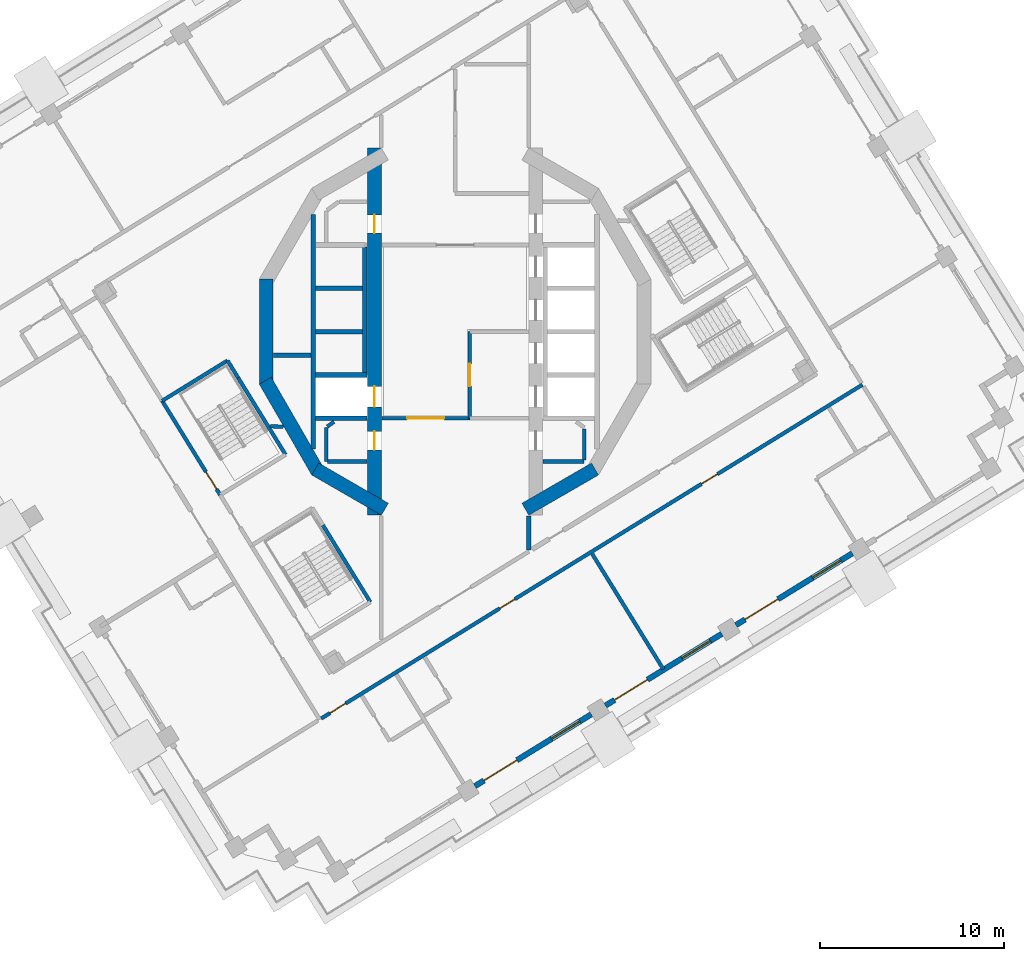
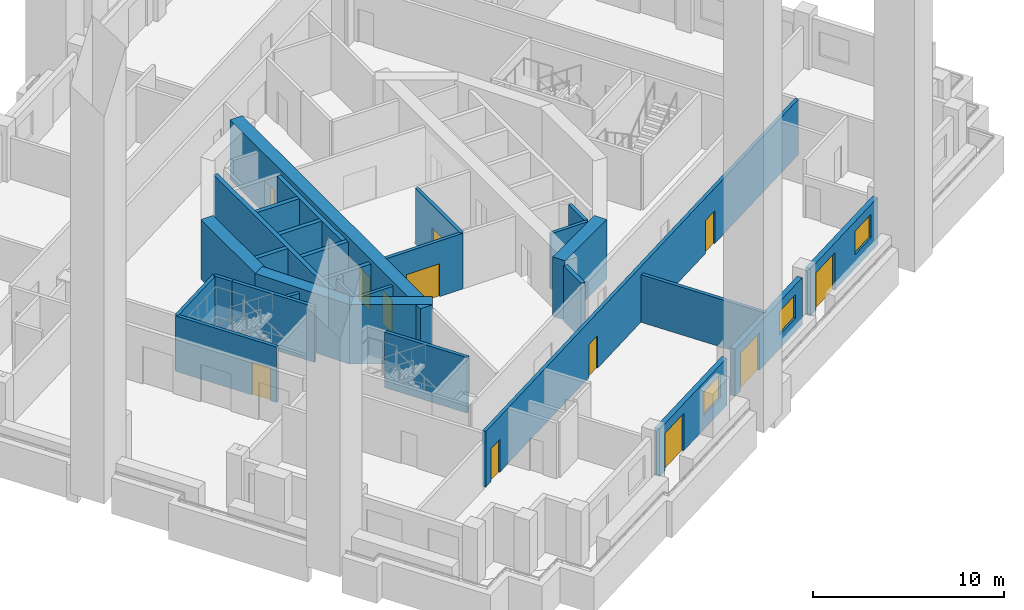
# One storey, part 4 of 19: 31 walls, 12 doors, 3 windows, 15 openings.
"""IFC4 building model written with IfcOpenShell, lengths in metres."""

from ifc_helpers import new_model, si_unit, direction, frame, frame_2d, origin, place, context, subcontext, project, spatial, rectangle, extrude, material, layer, layer_set, type_object, element, fill, save


model = new_model("IFC4")

# Units and contexts
model_context = context("Model", 3, precision=1e-05, world=origin(), true_north=direction((0.0, 1.0)))
body_context = subcontext(model_context, "Body", "Model", "MODEL_VIEW")
ifc_project = project(units=[si_unit("LENGTHUNIT", "METRE"), si_unit("AREAUNIT", "SQUARE_METRE"), si_unit("VOLUMEUNIT", "CUBIC_METRE"), si_unit("PLANEANGLEUNIT", "RADIAN"), si_unit("MASSUNIT", "GRAM", prefix="KILO")], contexts=[model_context])

# Site, building, storey
site_placement = place(None, origin())
site = spatial("IfcSite", under=ifc_project, at=site_placement, CompositionType="ELEMENT")
building_placement = place(site_placement, origin())
building = spatial("IfcBuilding", under=site, at=building_placement, Name="Cantera Rosa Tower", CompositionType="ELEMENT")
storey_placement = place(building_placement, frame((0.0, 0.0, 147.60009765625)))
storey = spatial("IfcBuildingStorey", under=building, at=storey_placement, Name="L31", CompositionType="ELEMENT", Elevation=147.60009765625)

# Wall, openings, doors
ifc_material_1 = material(Name="Gypsum board partition")
ifc_layer_1 = layer(ifc_material_1, 0.199951171875)
ifc_layer_set_1 = layer_set([ifc_layer_1], Name="CORRIDOR WALL 200 H3550")
wall_type_1 = type_object("IfcWallType", Name="CORRIDOR WALL 200 H3550", PredefinedType="PARTITIONING", material=ifc_layer_set_1)
wall_1_placement = place(storey_placement, frame((-7.26318359375, -20.98779296875, 0.0), z_axis=(0.0, 0.0, 1.0), x_axis=(0.851116274649, 0.524977225246, 0.0)))
wall_1 = element("IfcWall", 1, at=wall_1_placement, inside=storey, type_object=wall_type_1, Name="CORRIDOR WALL L31-033", PredefinedType="PARTITIONING", context=body_context, shape_type="SweptSolid", body=[
    extrude(rectangle(XDim=34.499755859375, YDim=0.199951171875, at=frame_2d((17.25, 0.0))), origin(), (0.0, 0.0, 1.0), 3.5498046875),
])
opening_1_placement = place(wall_1_placement, frame((24.25, 0.0, 0.0)))
opening_1 = element("IfcOpeningElement", 2, at=opening_1_placement, cuts=wall_1, Name="Opening L31-034", PredefinedType="OPENING", context=body_context, shape_type="SweptSolid", body=[
    extrude(rectangle(XDim=1.0, YDim=2.10009765625, at=frame_2d((0.5, 1.050048828125))), frame((0.0, 0.10986328125, 0.0), z_axis=(0.0, -1.0, 0.0), x_axis=(1.0, 0.0, 0.0)), (0.0, 0.0, 1.0), 0.219970703125),
])
opening_2_placement = place(wall_1_placement, frame((11.385009765625, 0.0, 0.0)))
opening_2 = element("IfcOpeningElement", 3, at=opening_2_placement, cuts=wall_1, Name="Opening L31-037", PredefinedType="OPENING", context=body_context, shape_type="SweptSolid", body=[
    extrude(rectangle(XDim=0.949951171875, YDim=2.10009765625, at=frame_2d((0.47509765625, 1.050048828125))), frame((0.0, 0.10986328125, 0.0), z_axis=(0.0, -1.0, 0.0), x_axis=(1.0, 0.0, 0.0)), (0.0, 0.0, 1.0), 0.219970703125),
])
opening_3_placement = place(wall_1_placement, frame((0.550048828125, 0.0, 0.0)))
opening_3 = element("IfcOpeningElement", 4, at=opening_3_placement, cuts=wall_1, Name="Opening L31-039", PredefinedType="OPENING", context=body_context, shape_type="SweptSolid", body=[
    extrude(rectangle(XDim=1.0, YDim=2.10009765625, at=frame_2d((0.5, 1.050048828125))), frame((0.0, 0.10986328125, 0.0), z_axis=(0.0, -1.0, 0.0), x_axis=(1.0, 0.0, 0.0)), (0.0, 0.0, 1.0), 0.219970703125),
])
ifc_material_2 = material(Name="Timber door leaf", Category="wood")
door_type_1 = type_object("IfcDoorType", Name="ENTRANCE DOOR 1000x2100", OperationType="NOTDEFINED", PredefinedType="DOOR", material=ifc_material_2)
door_1_placement = place(opening_1_placement, origin())
door_1 = element("IfcDoor", 5, at=door_1_placement, inside=storey, type_object=door_type_1, Name="DOOR L31-034", OperationType="NOTDEFINED", OverallHeight=2.10009765625, OverallWidth=1.0, PredefinedType="DOOR", context=body_context, shape_type="SweptSolid", body=[
    extrude(rectangle(XDim=1.0, YDim=2.10009765625, at=frame_2d((0.5, 1.050048828125))), frame((0.0, 0.02490234375, 0.0), z_axis=(0.0, -1.0, 0.0), x_axis=(1.0, 0.0, 0.0)), (0.0, 0.0, 1.0), 0.050048828125),
])
fill(opening_1, door_1)
door_2_placement = place(opening_3_placement, origin())
door_2 = element("IfcDoor", 6, at=door_2_placement, inside=storey, type_object=door_type_1, Name="DOOR L31-039", OperationType="NOTDEFINED", OverallHeight=2.10009765625, OverallWidth=1.0, PredefinedType="DOOR", context=body_context, shape_type="SweptSolid", body=[
    extrude(rectangle(XDim=1.0, YDim=2.10009765625, at=frame_2d((0.5, 1.050048828125))), frame((0.0, 0.02490234375, 0.0), z_axis=(0.0, -1.0, 0.0), x_axis=(1.0, 0.0, 0.0)), (0.0, 0.0, 1.0), 0.050048828125),
])
fill(opening_3, door_2)
ifc_material_3 = material(Name="Timber door leaf", Category="wood")
door_type_2 = type_object("IfcDoorType", Name="ROOM DOOR 950x2100", OperationType="NOTDEFINED", PredefinedType="DOOR", material=ifc_material_3)
door_3_placement = place(opening_2_placement, origin())
door_3 = element("IfcDoor", 7, at=door_3_placement, inside=storey, type_object=door_type_2, Name="DOOR L31-037", OperationType="NOTDEFINED", OverallHeight=2.10009765625, OverallWidth=0.949951171875, PredefinedType="DOOR", context=body_context, shape_type="SweptSolid", body=[
    extrude(rectangle(XDim=0.949951171875, YDim=2.10009765625, at=frame_2d((0.47509765625, 1.050048828125))), frame((0.0, 0.02490234375, 0.0), z_axis=(0.0, -1.0, 0.0), x_axis=(1.0, 0.0, 0.0)), (0.0, 0.0, 1.0), 0.050048828125),
])
fill(opening_2, door_3)

# Wall, opening, door
wall_2_placement = place(storey_placement, frame((0.800048828125, -4.699951171875, 0.0), z_axis=(0.0, 0.0, 1.0), x_axis=(-1.0, 0.0, 0.0)))
wall_2 = element("IfcWall", 8, at=wall_2_placement, inside=storey, type_object=wall_type_1, Name="CORRIDOR WALL L31-061", PredefinedType="PARTITIONING", context=body_context, shape_type="SweptSolid", body=[
    extrude(rectangle(XDim=4.77001953125, YDim=0.199951171875, at=frame_2d((2.385009765625, 0.0))), origin(), (0.0, 0.0, 1.0), 3.5498046875),
])
opening_4_placement = place(wall_2_placement, frame((1.39990234375, 0.0, 0.0)))
opening_4 = element("IfcOpeningElement", 9, at=opening_4_placement, cuts=wall_2, Name="Opening L31-012", PredefinedType="OPENING", context=body_context, shape_type="SweptSolid", body=[
    extrude(rectangle(XDim=2.0, YDim=2.10009765625, at=frame_2d((1.0, 1.050048828125))), frame((0.0, 0.10986328125, 0.0), z_axis=(0.0, -1.0, 0.0), x_axis=(1.0, 0.0, 0.0)), (0.0, 0.0, 1.0), 0.219970703125),
])
ifc_material_4 = material(Name="Steel S355J2 (EN 10025-2)", Category="steel")
door_type_3 = type_object("IfcDoorType", Name="LOBBY SCREEN DOOR 2000x2100", OperationType="NOTDEFINED", PredefinedType="DOOR", material=ifc_material_4)
door_4_placement = place(opening_4_placement, origin())
door_4 = element("IfcDoor", 10, at=door_4_placement, inside=storey, type_object=door_type_3, Name="DOOR L31-012", OperationType="NOTDEFINED", OverallHeight=2.10009765625, OverallWidth=2.0, PredefinedType="DOOR", context=body_context, shape_type="SweptSolid", body=[
    extrude(rectangle(XDim=2.0, YDim=2.10009765625, at=frame_2d((1.0, 1.050048828125))), frame((0.0, 0.02490234375, 0.0), z_axis=(0.0, -1.0, 0.0), x_axis=(1.0, 0.0, 0.0)), (0.0, 0.0, 1.0), 0.050048828125),
])
fill(opening_4, door_4)

# Wall, openings, window, door
ifc_material_5 = material(Name="Hollow clay masonry with cantera stone cladding", Category="masonry")
ifc_layer_2 = layer(ifc_material_5, 0.300048828125)
ifc_layer_set_2 = layer_set([ifc_layer_2], Name="EW-LOGGIA 300 H3020")
wall_type_2 = type_object("IfcWallType", Name="EW-LOGGIA 300 H3020", PredefinedType="SOLIDWALL", material=ifc_layer_set_2)
wall_3_placement = place(storey_placement, frame((1.07421875, -24.656982421875, 0.0), z_axis=(0.0, 0.0, 1.0), x_axis=(0.85112578684, 0.524961803349, 0.0)))
wall_3 = element("IfcWall", 11, at=wall_3_placement, inside=storey, type_object=wall_type_2, Name="EN-L31-W23", PredefinedType="SOLIDWALL", context=body_context, shape_type="SweptSolid", body=[
    extrude(rectangle(XDim=7.420166015625, YDim=0.300048828125, at=frame_2d((3.7099609375, 0.0))), origin(), (0.0, 0.0, 1.0), 3.02001953125),
])
opening_5_placement = place(wall_3_placement, frame((0.580078125, 0.0, 0.0)))
opening_5 = element("IfcOpeningElement", 12, at=opening_5_placement, cuts=wall_3, Name="Opening L31-TD29", PredefinedType="OPENING", context=body_context, shape_type="SweptSolid", body=[
    extrude(rectangle(XDim=2.10009765625, YDim=2.39990234375, at=frame_2d((1.050048828125, 1.199951171875))), frame((0.0, 0.159912109375, 0.0), z_axis=(0.0, -1.0, 0.0), x_axis=(1.0, 0.0, 0.0)), (0.0, 0.0, 1.0), 0.320068359375),
])
opening_6_placement = place(wall_3_placement, frame((4.889892578125, 0.0, 0.89990234375)))
opening_6 = element("IfcOpeningElement", 13, at=opening_6_placement, cuts=wall_3, Name="Opening L31-W30", PredefinedType="OPENING", context=body_context, shape_type="SweptSolid", body=[
    extrude(rectangle(XDim=1.800048828125, YDim=1.5, at=frame_2d((0.89990234375, 0.75))), frame((0.0, 0.159912109375, 0.0), z_axis=(0.0, -1.0, 0.0), x_axis=(1.0, 0.0, 0.0)), (0.0, 0.0, 1.0), 0.320068359375),
])
ifc_material_6 = material(Name="Aluminium frame with clear glass", Category="aluminium")
window_type = type_object("IfcWindowType", Name="Hotel room window 1800x1500", PartitioningType="DOUBLE_PANEL_VERTICAL", PredefinedType="WINDOW", material=ifc_material_6)
window_1_placement = place(opening_6_placement, origin())
window_1 = element("IfcWindow", 14, at=window_1_placement, inside=storey, type_object=window_type, Name="WINDOW L31-W30", OverallHeight=1.5, OverallWidth=1.800048828125, PartitioningType="SINGLE_PANEL", PredefinedType="WINDOW", context=body_context, shape_type="SweptSolid", body=[
    extrude(rectangle(XDim=1.800048828125, YDim=1.5, at=frame_2d((0.89990234375, 0.75))), frame((0.0, 0.030029296875, 0.0), z_axis=(0.0, -1.0, 0.0), x_axis=(1.0, 0.0, 0.0)), (0.0, 0.0, 1.0), 0.06005859375),
])
fill(opening_6, window_1)
ifc_material_7 = material(Name="Aluminium frame with clear glass", Category="aluminium")
door_type_4 = type_object("IfcDoorType", Name="TD-H 2100x2400", OperationType="NOTDEFINED", PredefinedType="DOOR", material=ifc_material_7)
door_5_placement = place(opening_5_placement, origin())
door_5 = element("IfcDoor", 15, at=door_5_placement, inside=storey, type_object=door_type_4, Name="LOGGIA DOOR L31-TD29", OperationType="SLIDING_TO_LEFT", OverallHeight=2.39990234375, OverallWidth=2.10009765625, PredefinedType="DOOR", context=body_context, shape_type="SweptSolid", body=[
    extrude(rectangle(XDim=2.10009765625, YDim=2.39990234375, at=frame_2d((1.050048828125, 1.199951171875))), frame((0.0, 0.02490234375, 0.0), z_axis=(0.0, -1.0, 0.0), x_axis=(1.0, 0.0, 0.0)), (0.0, 0.0, 1.0), 0.050048828125),
])
fill(opening_5, door_5)

wall_4_placement = place(storey_placement, frame((8.155517578125, -20.289306640625, 0.0), z_axis=(0.0, 0.0, 1.0), x_axis=(0.851111085575, 0.524985637909, 0.0)))
wall_4 = element("IfcWall", 16, at=wall_4_placement, inside=storey, type_object=wall_type_2, Name="EN-L31-W24", PredefinedType="SOLIDWALL", context=body_context, shape_type="SweptSolid", body=[
    extrude(rectangle(XDim=7.420166015625, YDim=0.300048828125, at=frame_2d((3.7099609375, 0.0))), origin(), (0.0, 0.0, 1.0), 3.02001953125),
])
opening_7_placement = place(wall_4_placement, frame((0.580078125, 0.0, 0.0)))
opening_7 = element("IfcOpeningElement", 17, at=opening_7_placement, cuts=wall_4, Name="Opening L31-TD31", PredefinedType="OPENING", context=body_context, shape_type="SweptSolid", body=[
    extrude(rectangle(XDim=2.10009765625, YDim=2.39990234375, at=frame_2d((1.050048828125, 1.199951171875))), frame((0.0, 0.159912109375, 0.0), z_axis=(0.0, -1.0, 0.0), x_axis=(1.0, 0.0, 0.0)), (0.0, 0.0, 1.0), 0.320068359375),
])
opening_8_placement = place(wall_4_placement, frame((4.889892578125, 0.0, 0.89990234375)))
opening_8 = element("IfcOpeningElement", 18, at=opening_8_placement, cuts=wall_4, Name="Opening L31-W32", PredefinedType="OPENING", context=body_context, shape_type="SweptSolid", body=[
    extrude(rectangle(XDim=1.800048828125, YDim=1.5, at=frame_2d((0.89990234375, 0.75))), frame((0.0, 0.159912109375, 0.0), z_axis=(0.0, -1.0, 0.0), x_axis=(1.0, 0.0, 0.0)), (0.0, 0.0, 1.0), 0.320068359375),
])
window_2_placement = place(opening_8_placement, origin())
window_2 = element("IfcWindow", 19, at=window_2_placement, inside=storey, type_object=window_type, Name="WINDOW L31-W32", OverallHeight=1.5, OverallWidth=1.800048828125, PartitioningType="SINGLE_PANEL", PredefinedType="WINDOW", context=body_context, shape_type="SweptSolid", body=[
    extrude(rectangle(XDim=1.800048828125, YDim=1.5, at=frame_2d((0.89990234375, 0.75))), frame((0.0, 0.030029296875, 0.0), z_axis=(0.0, -1.0, 0.0), x_axis=(1.0, 0.0, 0.0)), (0.0, 0.0, 1.0), 0.06005859375),
])
fill(opening_8, window_2)
door_6_placement = place(opening_7_placement, origin())
door_6 = element("IfcDoor", 20, at=door_6_placement, inside=storey, type_object=door_type_4, Name="LOGGIA DOOR L31-TD31", OperationType="SLIDING_TO_LEFT", OverallHeight=2.39990234375, OverallWidth=2.10009765625, PredefinedType="DOOR", context=body_context, shape_type="SweptSolid", body=[
    extrude(rectangle(XDim=2.10009765625, YDim=2.39990234375, at=frame_2d((1.050048828125, 1.199951171875))), frame((0.0, 0.02490234375, 0.0), z_axis=(0.0, -1.0, 0.0), x_axis=(1.0, 0.0, 0.0)), (0.0, 0.0, 1.0), 0.050048828125),
])
fill(opening_7, door_6)

wall_5_placement = place(storey_placement, frame((15.23681640625, -15.92138671875, 0.0), z_axis=(0.0, 0.0, 1.0), x_axis=(0.85112578684, 0.524961803349, 0.0)))
wall_5 = element("IfcWall", 21, at=wall_5_placement, inside=storey, type_object=wall_type_2, Name="EN-L31-W25", PredefinedType="SOLIDWALL", context=body_context, shape_type="SweptSolid", body=[
    extrude(rectangle(XDim=7.420166015625, YDim=0.300048828125, at=frame_2d((3.7099609375, 0.0))), origin(), (0.0, 0.0, 1.0), 3.02001953125),
])
opening_9_placement = place(wall_5_placement, frame((0.580078125, 0.0, 0.0)))
opening_9 = element("IfcOpeningElement", 22, at=opening_9_placement, cuts=wall_5, Name="Opening L31-TD33", PredefinedType="OPENING", context=body_context, shape_type="SweptSolid", body=[
    extrude(rectangle(XDim=2.10009765625, YDim=2.39990234375, at=frame_2d((1.050048828125, 1.199951171875))), frame((0.0, 0.159912109375, 0.0), z_axis=(0.0, -1.0, 0.0), x_axis=(1.0, 0.0, 0.0)), (0.0, 0.0, 1.0), 0.320068359375),
])
opening_10_placement = place(wall_5_placement, frame((4.889892578125, 0.0, 0.89990234375)))
opening_10 = element("IfcOpeningElement", 23, at=opening_10_placement, cuts=wall_5, Name="Opening L31-W34", PredefinedType="OPENING", context=body_context, shape_type="SweptSolid", body=[
    extrude(rectangle(XDim=1.800048828125, YDim=1.5, at=frame_2d((0.89990234375, 0.75))), frame((0.0, 0.159912109375, 0.0), z_axis=(0.0, -1.0, 0.0), x_axis=(1.0, 0.0, 0.0)), (0.0, 0.0, 1.0), 0.320068359375),
])
window_3_placement = place(opening_10_placement, origin())
window_3 = element("IfcWindow", 24, at=window_3_placement, inside=storey, type_object=window_type, Name="WINDOW L31-W34", OverallHeight=1.5, OverallWidth=1.800048828125, PartitioningType="SINGLE_PANEL", PredefinedType="WINDOW", context=body_context, shape_type="SweptSolid", body=[
    extrude(rectangle(XDim=1.800048828125, YDim=1.5, at=frame_2d((0.89990234375, 0.75))), frame((0.0, 0.030029296875, 0.0), z_axis=(0.0, -1.0, 0.0), x_axis=(1.0, 0.0, 0.0)), (0.0, 0.0, 1.0), 0.06005859375),
])
fill(opening_10, window_3)
door_7_placement = place(opening_9_placement, origin())
door_7 = element("IfcDoor", 25, at=door_7_placement, inside=storey, type_object=door_type_4, Name="LOGGIA DOOR L31-TD33", OperationType="SLIDING_TO_LEFT", OverallHeight=2.39990234375, OverallWidth=2.10009765625, PredefinedType="DOOR", context=body_context, shape_type="SweptSolid", body=[
    extrude(rectangle(XDim=2.10009765625, YDim=2.39990234375, at=frame_2d((1.050048828125, 1.199951171875))), frame((0.0, 0.02490234375, 0.0), z_axis=(0.0, -1.0, 0.0), x_axis=(1.0, 0.0, 0.0)), (0.0, 0.0, 1.0), 0.050048828125),
])
fill(opening_9, door_7)

# Walls
ifc_material_8 = material(Name="Gypsum board partition")
ifc_layer_3 = layer(ifc_material_8, 0.199951171875)
ifc_layer_set_3 = layer_set([ifc_layer_3], Name="PARTITION 200 H3550")
wall_type_3 = type_object("IfcWallType", Name="PARTITION 200 H3550", PredefinedType="PARTITIONING", material=ifc_layer_set_3)
wall_6_placement = place(storey_placement, frame((-9.32275390625, -5.162841796875, 0.0), z_axis=(0.0, 0.0, 1.0), x_axis=(-0.999176042659, 0.040586152507, 0.0)))
element("IfcWall", 26, at=wall_6_placement, inside=storey, type_object=wall_type_3, Name="PARTITION L31-023", PredefinedType="PARTITIONING", context=body_context, shape_type="SweptSolid", body=[
    extrude(rectangle(XDim=0.709716796875, YDim=0.199951171875, at=frame_2d((0.35498046875, 0.0))), origin(), (0.0, 0.0, 1.0), 3.5498046875),
])
wall_7_placement = place(storey_placement, frame((-7.0, -7.050048828125, 0.0), z_axis=(0.0, 0.0, 1.0), x_axis=(0.0, 1.0, 0.0)))
element("IfcWall", 27, at=wall_7_placement, inside=storey, type_object=wall_type_3, Name="PARTITION L31-034", PredefinedType="PARTITIONING", context=body_context, shape_type="SweptSolid", body=[
    extrude(rectangle(XDim=1.85009765625, YDim=0.199951171875, at=frame_2d((0.925048828125, 0.0))), origin(), (0.0, 0.0, 1.0), 3.5498046875),
])
wall_8_placement = place(storey_placement, frame((-6.935302734375, -5.15283203125, 0.0), z_axis=(0.0, 0.0, 1.0), x_axis=(0.808147744029, 0.58897981614, 0.0)))
element("IfcWall", 28, at=wall_8_placement, inside=storey, type_object=wall_type_3, Name="PARTITION L31-035", PredefinedType="PARTITIONING", context=body_context, shape_type="SweptSolid", body=[
    extrude(rectangle(XDim=0.448974609375, YDim=0.199951171875, at=frame_2d((0.224609375, 0.0))), origin(), (0.0, 0.0, 1.0), 3.5498046875),
])
wall_9_placement = place(storey_placement, frame((-4.780029296875, -7.050048828125, 0.0), z_axis=(0.0, 0.0, 1.0), x_axis=(-1.0, 0.0, 0.0)))
element("IfcWall", 29, at=wall_9_placement, inside=storey, type_object=wall_type_3, Name="PARTITION L31-045", PredefinedType="PARTITIONING", context=body_context, shape_type="SweptSolid", body=[
    extrude(rectangle(XDim=2.139892578125, YDim=0.199951171875, at=frame_2d((1.06982421875, 0.0))), origin(), (0.0, 0.0, 1.0), 3.5498046875),
])
wall_10_placement = place(storey_placement, frame((7.0, -7.050048828125, 0.0), z_axis=(0.0, 0.0, 1.0), x_axis=(-1.0, 0.0, 0.0)))
element("IfcWall", 30, at=wall_10_placement, inside=storey, type_object=wall_type_3, Name="PARTITION L31-079", PredefinedType="PARTITIONING", context=body_context, shape_type="SweptSolid", body=[
    extrude(rectangle(XDim=2.219970703125, YDim=0.199951171875, at=frame_2d((1.10986328125, 0.0))), origin(), (0.0, 0.0, 1.0), 3.5498046875),
])
wall_11_placement = place(storey_placement, frame((7.0, -5.280029296875, 0.0), z_axis=(0.0, 0.0, 1.0), x_axis=(0.0, -1.0, 0.0)))
element("IfcWall", 31, at=wall_11_placement, inside=storey, type_object=wall_type_3, Name="PARTITION L31-080", PredefinedType="PARTITIONING", context=body_context, shape_type="SweptSolid", body=[
    extrude(rectangle(XDim=1.68994140625, YDim=0.199951171875, at=frame_2d((0.844970703125, 0.0))), origin(), (0.0, 0.0, 1.0), 3.5498046875),
])
ifc_material_9 = material(Name="Gypsum board partition")
ifc_layer_4 = layer(ifc_material_9, 0.199951171875)
ifc_layer_set_4 = layer_set([ifc_layer_4], Name="PARTY WALL 200 H3050")
wall_type_4 = type_object("IfcWallType", Name="PARTY WALL 200 H3050", PredefinedType="PARTITIONING", material=ifc_layer_set_4)
wall_12_placement = place(storey_placement, frame((7.43896484375, -12.060302734375, 0.0), z_axis=(0.0, 0.0, 1.0), x_axis=(0.52498856982, -0.851109277096, 0.0)))
element("IfcWall", 32, at=wall_12_placement, inside=storey, type_object=wall_type_4, Name="PARTY WALL L31-084", PredefinedType="PARTITIONING", context=body_context, shape_type="SweptSolid", body=[
    extrude(rectangle(XDim=7.349853515625, YDim=0.199951171875, at=frame_2d((3.6748046875, 0.0))), origin(), (0.0, 0.0, 1.0), 3.0498046875),
])
ifc_material_10 = material(Name="Concrete C60/75", Category="concrete")
ifc_layer_5 = layer(ifc_material_10, 0.75)
ifc_layer_set_5 = layer_set([ifc_layer_5], Name="RC CORE WALL 750 C60/75")
wall_type_5 = type_object("IfcWallType", Name="RC CORE WALL 750 C60/75", PredefinedType="SHEAR", material=ifc_layer_set_5)
wall_13_placement = place(storey_placement, frame((-3.8125, -9.634765625, 0.0), z_axis=(0.0, 0.0, 1.0), x_axis=(-0.866013176292, 0.50002117804, 0.0)))
element("IfcWall", 33, at=wall_13_placement, inside=storey, type_object=wall_type_5, Name="CW-W1 L31", PredefinedType="SHEAR", context=body_context, shape_type="SweptSolid", body=[
    extrude(rectangle(XDim=4.362548828125, YDim=0.75, at=frame_2d((2.18115234375, 0.0))), origin(), (0.0, 0.0, 1.0), 3.7998046875),
])
wall_14_placement = place(storey_placement, frame((-7.453369140625, -7.590576171875, 0.0), z_axis=(0.0, 0.0, 1.0), x_axis=(-0.500021842983, 0.866012792365, 0.0)))
element("IfcWall", 34, at=wall_14_placement, inside=storey, type_object=wall_type_5, Name="CW-W2 L31", PredefinedType="SHEAR", context=body_context, shape_type="SweptSolid", body=[
    extrude(rectangle(XDim=5.694091796875, YDim=0.75, at=frame_2d((2.84716796875, 0.0))), origin(), (0.0, 0.0, 1.0), 3.7998046875),
])
wall_15_placement = place(storey_placement, frame((-10.250244140625, -2.846923828125, 0.0), z_axis=(0.0, 0.0, 1.0), x_axis=(0.0, 1.0, 0.0)))
element("IfcWall", 35, at=wall_15_placement, inside=storey, type_object=wall_type_5, Name="CW-W3 L31", PredefinedType="SHEAR", context=body_context, shape_type="SweptSolid", body=[
    extrude(rectangle(XDim=5.69384765625, YDim=0.75, at=frame_2d((2.846923828125, 0.0))), origin(), (0.0, 0.0, 1.0), 3.7998046875),
])

# Wall, openings, doors
wall_16_placement = place(storey_placement, frame((-4.375, 9.95947265625, 0.0), z_axis=(0.0, 0.0, 1.0), x_axis=(0.0, -1.0, 0.0)))
wall_16 = element("IfcWall", 36, at=wall_16_placement, inside=storey, type_object=wall_type_5, Name="CW-W6 L31", PredefinedType="SHEAR", context=body_context, shape_type="SweptSolid", body=[
    extrude(rectangle(XDim=19.9189453125, YDim=0.75, at=frame_2d((9.95947265625, 0.0))), origin(), (0.0, 0.0, 1.0), 3.7998046875),
])
opening_11_placement = place(wall_16_placement, frame((12.9345703125, 0.0, 0.0)))
opening_11 = element("IfcOpeningElement", 37, at=opening_11_placement, cuts=wall_16, Name="Opening LD-P3-L31", PredefinedType="OPENING", context=body_context, shape_type="SweptSolid", body=[
    extrude(rectangle(XDim=1.10009765625, YDim=2.10009765625, at=frame_2d((0.550048828125, 1.050048828125))), frame((0.0, 0.385009765625, 0.0), z_axis=(0.0, -1.0, 0.0), x_axis=(1.0, 0.0, 0.0)), (0.0, 0.0, 1.0), 0.77001953125),
])
opening_12_placement = place(wall_16_placement, frame((15.368408203125, 0.0, 0.0)))
opening_12 = element("IfcOpeningElement", 38, at=opening_12_placement, cuts=wall_16, Name="Opening SD-L31-15", PredefinedType="OPENING", context=body_context, shape_type="SweptSolid", body=[
    extrude(rectangle(XDim=1.0, YDim=2.10009765625, at=frame_2d((0.5, 1.050048828125))), frame((0.0, 0.385009765625, 0.0), z_axis=(0.0, -1.0, 0.0), x_axis=(1.0, 0.0, 0.0)), (0.0, 0.0, 1.0), 0.77001953125),
])
opening_13_placement = place(wall_16_placement, frame((3.618408203125, 0.0, 0.0)))
opening_13 = element("IfcOpeningElement", 39, at=opening_13_placement, cuts=wall_16, Name="Opening SD-L31-16", PredefinedType="OPENING", context=body_context, shape_type="SweptSolid", body=[
    extrude(rectangle(XDim=1.0, YDim=2.10009765625, at=frame_2d((0.5, 1.050048828125))), frame((0.0, 0.385009765625, 0.0), z_axis=(0.0, -1.0, 0.0), x_axis=(1.0, 0.0, 0.0)), (0.0, 0.0, 1.0), 0.77001953125),
])
ifc_material_11 = material(Name="Steel S355J2 (EN 10025-2)", Category="steel")
door_type_5 = type_object("IfcDoorType", Name="LANDING DOOR 1100x2100", OperationType="NOTDEFINED", PredefinedType="DOOR", material=ifc_material_11)
door_8_placement = place(opening_11_placement, origin())
door_8 = element("IfcDoor", 40, at=door_8_placement, inside=storey, type_object=door_type_5, Name="LANDING DOOR P3 L31", OperationType="SLIDING_TO_LEFT", OverallHeight=2.10009765625, OverallWidth=1.10009765625, PredefinedType="DOOR", context=body_context, shape_type="SweptSolid", body=[
    extrude(rectangle(XDim=1.10009765625, YDim=2.10009765625, at=frame_2d((0.550048828125, 1.050048828125))), frame((0.0, 0.02490234375, 0.0), z_axis=(0.0, -1.0, 0.0), x_axis=(1.0, 0.0, 0.0)), (0.0, 0.0, 1.0), 0.050048828125),
])
fill(opening_11, door_8)
ifc_material_12 = material(Name="Timber door leaf", Category="wood")
door_type_6 = type_object("IfcDoorType", Name="SERVICE DOOR 1000x2100", OperationType="NOTDEFINED", PredefinedType="DOOR", material=ifc_material_12)
door_9_placement = place(opening_12_placement, origin())
door_9 = element("IfcDoor", 41, at=door_9_placement, inside=storey, type_object=door_type_6, Name="DOOR L31-SD15", OperationType="NOTDEFINED", OverallHeight=2.10009765625, OverallWidth=1.0, PredefinedType="DOOR", context=body_context, shape_type="SweptSolid", body=[
    extrude(rectangle(XDim=1.0, YDim=2.10009765625, at=frame_2d((0.5, 1.050048828125))), frame((0.0, 0.02490234375, 0.0), z_axis=(0.0, -1.0, 0.0), x_axis=(1.0, 0.0, 0.0)), (0.0, 0.0, 1.0), 0.050048828125),
])
fill(opening_12, door_9)
door_10_placement = place(opening_13_placement, origin())
door_10 = element("IfcDoor", 42, at=door_10_placement, inside=storey, type_object=door_type_6, Name="DOOR L31-SD16", OperationType="NOTDEFINED", OverallHeight=2.10009765625, OverallWidth=1.0, PredefinedType="DOOR", context=body_context, shape_type="SweptSolid", body=[
    extrude(rectangle(XDim=1.0, YDim=2.10009765625, at=frame_2d((0.5, 1.050048828125))), frame((0.0, 0.02490234375, 0.0), z_axis=(0.0, -1.0, 0.0), x_axis=(1.0, 0.0, 0.0)), (0.0, 0.0, 1.0), 0.050048828125),
])
fill(opening_13, door_10)

# Walls
wall_17_placement = place(storey_placement, frame((7.590576171875, -7.453369140625, 0.0), z_axis=(0.0, 0.0, 1.0), x_axis=(-0.866013176292, -0.50002117804, 0.0)))
element("IfcWall", 43, at=wall_17_placement, inside=storey, type_object=wall_type_5, Name="CW-E5 L31", PredefinedType="SHEAR", context=body_context, shape_type="SweptSolid", body=[
    extrude(rectangle(XDim=4.362548828125, YDim=0.75, at=frame_2d((2.18115234375, 0.0))), origin(), (0.0, 0.0, 1.0), 3.7998046875),
])
ifc_material_13 = material(Name="Masonry blockwork", Category="masonry")
ifc_layer_6 = layer(ifc_material_13, 0.25)
ifc_layer_set_6 = layer_set([ifc_layer_6], Name="SHAFT WALL 250 H3550")
wall_type_6 = type_object("IfcWallType", Name="SHAFT WALL 250 H3550", PredefinedType="SOLIDWALL", material=ifc_layer_set_6)
wall_18_placement = place(storey_placement, frame((-9.84521484375, -1.28271484375, 0.0), z_axis=(0.0, 0.0, 1.0), x_axis=(1.0, 0.0, 0.0)))
element("IfcWall", 44, at=wall_18_placement, inside=storey, type_object=wall_type_6, Name="SHAFT WALL L31-022", PredefinedType="SOLIDWALL", context=body_context, shape_type="SweptSolid", body=[
    extrude(rectangle(XDim=2.020263671875, YDim=0.25, at=frame_2d((1.01025390625, 0.0))), origin(), (0.0, 0.0, 1.0), 3.5498046875),
])
wall_19_placement = place(storey_placement, frame((-7.574951171875, -2.35009765625, 0.0), z_axis=(0.0, 0.0, 1.0), x_axis=(1.0, 0.0, 0.0)))
element("IfcWall", 45, at=wall_19_placement, inside=storey, type_object=wall_type_6, Name="SHAFT WALL L31-028", PredefinedType="SOLIDWALL", context=body_context, shape_type="SweptSolid", body=[
    extrude(rectangle(XDim=2.794921875, YDim=0.25, at=frame_2d((1.3974609375, 0.0))), origin(), (0.0, 0.0, 1.0), 3.5498046875),
])
for number, where, z_axis, x_axis, name in (
    (46, (-7.574951171875, 0.0, 0.0), (0.0, 0.0, 1.0), (1.0, 0.0, 0.0), "SHAFT WALL L31-029"),
    (47, (-7.574951171875, 2.35009765625, 0.0), (0.0, 0.0, 1.0), (1.0, 0.0, 0.0), "SHAFT WALL L31-030"),
):
    element("IfcWall", number, at=place(storey_placement, frame(where, z_axis=z_axis, x_axis=x_axis)), inside=storey, type_object=wall_type_6, Name=name, PredefinedType="SOLIDWALL", context=body_context, shape_type="SweptSolid", body=[
        extrude(rectangle(XDim=2.550048828125, YDim=0.25, at=frame_2d((1.27490234375, 0.0))), origin(), (0.0, 0.0, 1.0), 3.5498046875),
    ])
wall_20_placement = place(storey_placement, frame((-7.699951171875, 6.353515625, 0.0), z_axis=(0.0, 0.0, 1.0), x_axis=(0.0, -1.0, 0.0)))
element("IfcWall", 48, at=wall_20_placement, inside=storey, type_object=wall_type_6, Name="SHAFT WALL L31-032", PredefinedType="SOLIDWALL", context=body_context, shape_type="SweptSolid", body=[
    extrude(rectangle(XDim=12.70703125, YDim=0.25, at=frame_2d((6.353515625, 0.0))), origin(), (0.0, 0.0, 1.0), 3.5498046875),
])
wall_21_placement = place(storey_placement, frame((-4.89990234375, 4.580078125, 0.0), z_axis=(0.0, 0.0, 1.0), x_axis=(0.0, -1.0, 0.0)))
element("IfcWall", 49, at=wall_21_placement, inside=storey, type_object=wall_type_6, Name="SHAFT WALL L31-044", PredefinedType="SOLIDWALL", context=body_context, shape_type="SweptSolid", body=[
    extrude(rectangle(XDim=6.80517578125, YDim=0.25, at=frame_2d((3.402587890625, 0.0))), origin(), (0.0, 0.0, 1.0), 3.5498046875),
])
wall_22_placement = place(storey_placement, frame((-4.780029296875, -4.699951171875, 0.0), z_axis=(0.0, 0.0, 1.0), x_axis=(-1.0, 0.0, 0.0)))
element("IfcWall", 50, at=wall_22_placement, inside=storey, type_object=wall_type_6, Name="SHAFT WALL L31-046", PredefinedType="SOLIDWALL", context=body_context, shape_type="SweptSolid", body=[
    extrude(rectangle(XDim=2.794921875, YDim=0.25, at=frame_2d((1.3974609375, 0.0))), origin(), (0.0, 0.0, 1.0), 3.5498046875),
])
wall_23_placement = place(storey_placement, frame((4.0, -11.845703125, 0.0), z_axis=(0.0, 0.0, 1.0), x_axis=(0.0, 1.0, 0.0)))
element("IfcWall", 51, at=wall_23_placement, inside=storey, type_object=wall_type_6, Name="SHAFT WALL L31-065", PredefinedType="SOLIDWALL", context=body_context, shape_type="SweptSolid", body=[
    extrude(rectangle(XDim=1.8515625, YDim=0.25, at=frame_2d((0.92578125, 0.0))), origin(), (0.0, 0.0, 1.0), 3.5498046875),
])

# Wall, opening, door
ifc_material_14 = material(Name="Concrete C50/60", Category="concrete")
ifc_layer_7 = layer(ifc_material_14, 0.199951171875)
ifc_layer_set_7 = layer_set([ifc_layer_7], Name="STAIR WALL 200 H3550")
wall_type_7 = type_object("IfcWallType", Name="STAIR WALL 200 H3550", PredefinedType="SOLIDWALL", material=ifc_layer_set_7)
wall_24_placement = place(storey_placement, frame((-15.8955078125, -3.754638671875, 0.0), z_axis=(0.0, 0.0, 1.0), x_axis=(0.524982543144, -0.851112994493, 0.0)))
wall_24 = element("IfcWall", 52, at=wall_24_placement, inside=storey, type_object=wall_type_7, Name="STAIR WALL L31-013", PredefinedType="SOLIDWALL", context=body_context, shape_type="SweptSolid", body=[
    extrude(rectangle(XDim=6.0, YDim=0.199951171875, at=frame_2d((3.0, 0.0))), origin(), (0.0, 0.0, 1.0), 3.5498046875),
])
opening_14_placement = place(wall_24_placement, frame((4.52490234375, 0.0, 0.0)))
opening_14 = element("IfcOpeningElement", 53, at=opening_14_placement, cuts=wall_24, Name="Opening L31-002", PredefinedType="OPENING", context=body_context, shape_type="SweptSolid", body=[
    extrude(rectangle(XDim=1.10009765625, YDim=2.10009765625, at=frame_2d((0.550048828125, 1.050048828125))), frame((0.0, 0.10986328125, 0.0), z_axis=(0.0, -1.0, 0.0), x_axis=(1.0, 0.0, 0.0)), (0.0, 0.0, 1.0), 0.219970703125),
])
ifc_material_15 = material(Name="Steel S355J2 (EN 10025-2)", Category="steel")
door_type_7 = type_object("IfcDoorType", Name="STAIR DOOR 1100x2100", OperationType="NOTDEFINED", PredefinedType="DOOR", material=ifc_material_15)
door_11_placement = place(opening_14_placement, origin())
door_11 = element("IfcDoor", 54, at=door_11_placement, inside=storey, type_object=door_type_7, Name="DOOR L31-002", OperationType="NOTDEFINED", OverallHeight=2.10009765625, OverallWidth=1.10009765625, PredefinedType="DOOR", context=body_context, shape_type="SweptSolid", body=[
    extrude(rectangle(XDim=1.10009765625, YDim=2.10009765625, at=frame_2d((0.550048828125, 1.050048828125))), frame((0.0, 0.02490234375, 0.0), z_axis=(0.0, -1.0, 0.0), x_axis=(1.0, 0.0, 0.0)), (0.0, 0.0, 1.0), 0.050048828125),
])
fill(opening_14, door_11)

# Walls
wall_25_placement = place(storey_placement, frame((-12.349365234375, -1.5673828125, 0.0), z_axis=(0.0, 0.0, 1.0), x_axis=(-0.851120688733, -0.524970068871, 0.0)))
element("IfcWall", 55, at=wall_25_placement, inside=storey, type_object=wall_type_7, Name="STAIR WALL L31-019", PredefinedType="SOLIDWALL", context=body_context, shape_type="SweptSolid", body=[
    extrude(rectangle(XDim=4.16650390625, YDim=0.199951171875, at=frame_2d((2.083251953125, 0.0))), origin(), (0.0, 0.0, 1.0), 3.5498046875),
])
for number, where, z_axis, x_axis, name in (
    (56, (-9.199462890625, -6.674072265625, 0.0), (0.0, 0.0, 1.0), (-0.524942245614, 0.851137849452, 0.0), "STAIR WALL L31-024"),
    (57, (-4.599365234375, -14.674072265625, 0.0), (0.0, 0.0, 1.0), (-0.524978338244, 0.85111558814, 0.0), "STAIR WALL L31-048"),
):
    element("IfcWall", number, at=place(storey_placement, frame(where, z_axis=z_axis, x_axis=x_axis)), inside=storey, type_object=wall_type_7, Name=name, PredefinedType="SOLIDWALL", context=body_context, shape_type="SweptSolid", body=[
        extrude(rectangle(XDim=4.900146484375, YDim=0.199951171875, at=frame_2d((2.4501953125, 0.0))), origin(), (0.0, 0.0, 1.0), 3.5498046875),
    ])

# Wall, opening, door
wall_26_placement = place(storey_placement, frame((0.800048828125, -4.699951171875, 0.0), z_axis=(0.0, 0.0, 1.0), x_axis=(0.0, 1.0, 0.0)))
wall_26 = element("IfcWall", 58, at=wall_26_placement, inside=storey, type_object=wall_type_7, Name="STAIR WALL L31-062", PredefinedType="SOLIDWALL", context=body_context, shape_type="SweptSolid", body=[
    extrude(rectangle(XDim=4.699951171875, YDim=0.199951171875, at=frame_2d((2.35009765625, 0.0))), origin(), (0.0, 0.0, 1.0), 3.5498046875),
])
opening_15_placement = place(wall_26_placement, frame((1.75, 0.0, 0.0)))
opening_15 = element("IfcOpeningElement", 59, at=opening_15_placement, cuts=wall_26, Name="Opening L31-013", PredefinedType="OPENING", context=body_context, shape_type="SweptSolid", body=[
    extrude(rectangle(XDim=1.199951171875, YDim=2.10009765625, at=frame_2d((0.60009765625, 1.050048828125))), frame((0.0, 0.10986328125, 0.0), z_axis=(0.0, -1.0, 0.0), x_axis=(1.0, 0.0, 0.0)), (0.0, 0.0, 1.0), 0.219970703125),
])
ifc_material_16 = material(Name="Steel S355J2 (EN 10025-2)", Category="steel")
door_type_8 = type_object("IfcDoorType", Name="FIRE DOOR 1200x2100", OperationType="NOTDEFINED", PredefinedType="DOOR", material=ifc_material_16)
door_12_placement = place(opening_15_placement, origin())
door_12 = element("IfcDoor", 60, at=door_12_placement, inside=storey, type_object=door_type_8, Name="DOOR L31-013", OperationType="NOTDEFINED", OverallHeight=2.10009765625, OverallWidth=1.199951171875, PredefinedType="DOOR", context=body_context, shape_type="SweptSolid", body=[
    extrude(rectangle(XDim=1.199951171875, YDim=2.10009765625, at=frame_2d((0.60009765625, 1.050048828125))), frame((0.0, 0.02490234375, 0.0), z_axis=(0.0, -1.0, 0.0), x_axis=(1.0, 0.0, 0.0)), (0.0, 0.0, 1.0), 0.050048828125),
])
fill(opening_15, door_12)

# Wall
wall_27_placement = place(storey_placement, frame((-11.771728515625, -2.50341796875, 0.0), z_axis=(0.0, 0.0, 1.0), x_axis=(-0.525162052325, 0.851002243709, 0.0)))
element("IfcWall", 61, at=wall_27_placement, inside=storey, type_object=wall_type_7, Name="STAIR WALL L31-024 J", PredefinedType="SOLIDWALL", context=body_context, shape_type="SweptSolid", body=[
    extrude(rectangle(XDim=1.099853515625, YDim=0.199951171875, at=frame_2d((0.5498046875, 0.0))), origin(), (0.0, 0.0, 1.0), 3.5498046875),
])

save(model, "model.ifc")
